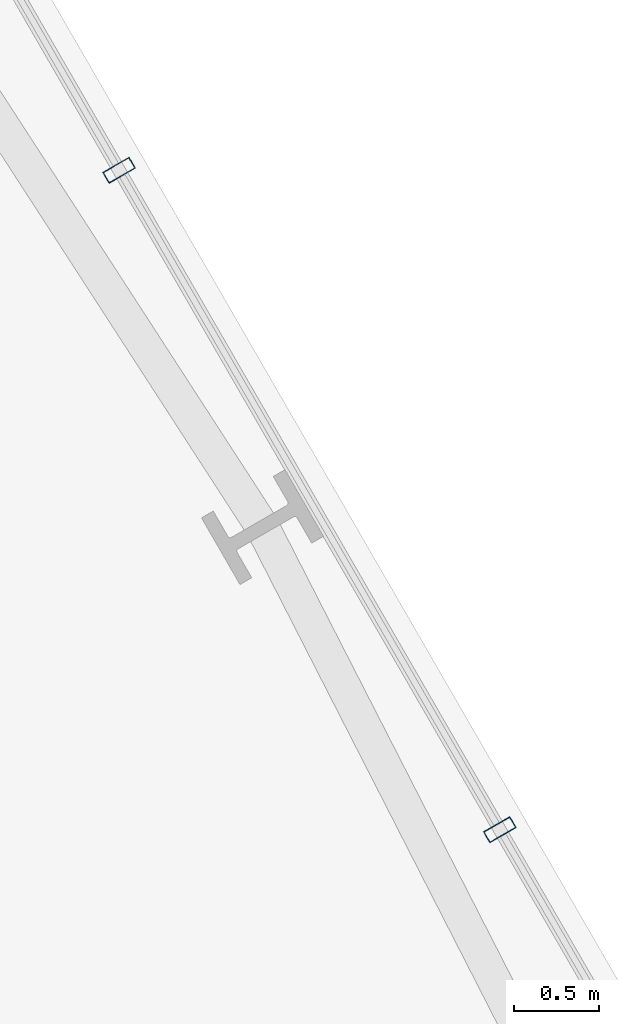
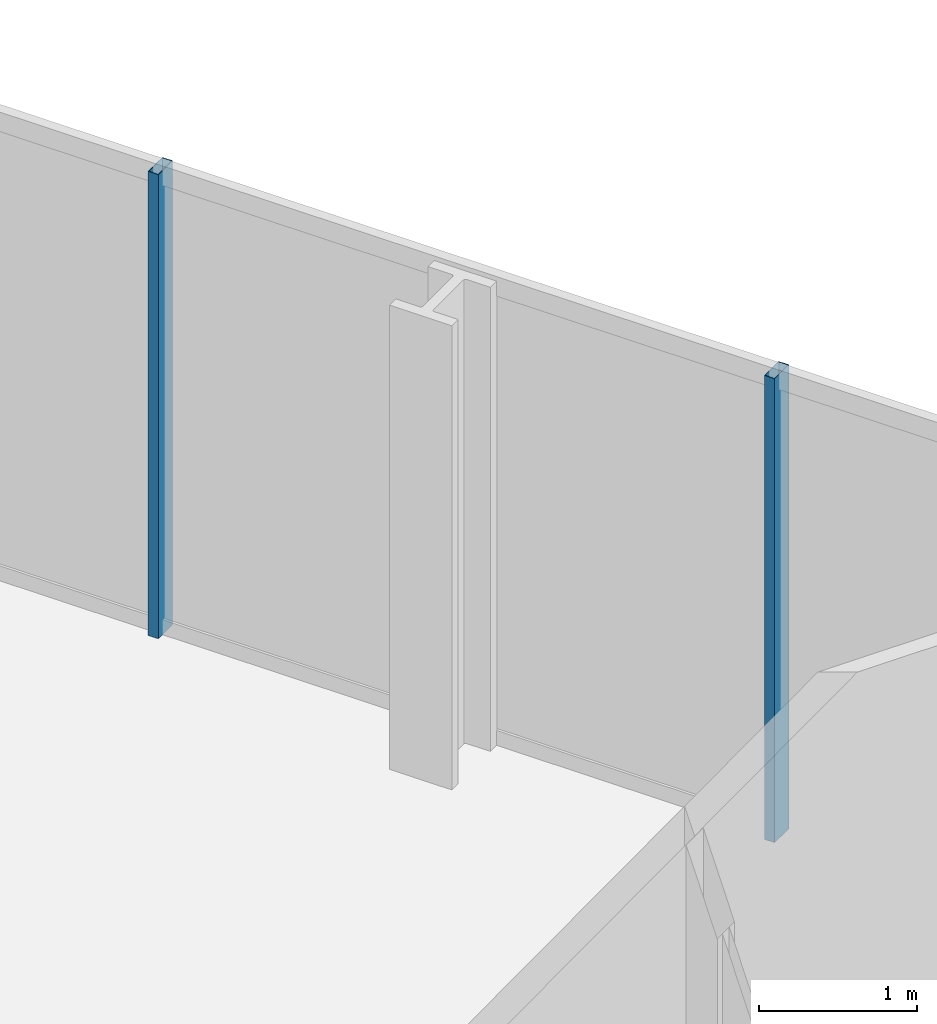
# One storey, part 20 of 32: 2 members, 1 element without a shape of its own.
"""IFC4 building model written with IfcOpenShell, lengths in metres."""

import ifcopenshell
import ifcopenshell.guid

model = None  # the IFC model being written
_history = None  # IfcOwnerHistory: only IFC2X3 demands one
_inside = {}  # id of a spatial element -> (the spatial element, [elements in it])
_under = {}  # id of a project, library or spatial element -> (it, [spatial elements below it])
_declared = {}  # id of a project -> (the project, [libraries it declares])
_typed = {}  # id of a type object -> (the type object, [elements of that type])
_made_of = {}  # id of a material, layer set ... -> (it, [elements and type objects made of it])


def new_model(schema):
    """Start an empty IFC model of exactly this schema.

    Asked for "IFC4X3", IfcOpenShell would pick the latest addendum, in which some entities
    have other attributes; the version numbers below select the first issue.
    IFC2X3 requires an IfcOwnerHistory on every rooted entity: one is made here for all.
    """
    global model, _history
    if schema == "IFC4X3":
        model = ifcopenshell.file(schema_version=(4, 3, 0, 0))
    else:
        model = ifcopenshell.file(schema=schema)
    _inside.clear()
    _under.clear()
    _declared.clear()
    _typed.clear()
    _made_of.clear()
    _history = None
    if model.schema == "IFC2X3":
        org = make("IfcOrganization", Name="unknown")
        user = make(
            "IfcPersonAndOrganization",
            ThePerson=make("IfcPerson", FamilyName="unknown"),
            TheOrganization=org,
        )
        app = make(
            "IfcApplication",
            ApplicationDeveloper=org,
            Version="unknown",
            ApplicationFullName="unknown",
            ApplicationIdentifier="unknown",
        )
        _history = make(
            "IfcOwnerHistory",
            OwningUser=user,
            OwningApplication=app,
            ChangeAction="ADDED",
            CreationDate=0,
        )
    return model


def make(cls, **values):
    """One entity of the class cls with the attributes given. An attribute that is None is left unset."""
    return model.create_entity(
        cls, **{name: value for name, value in values.items() if value is not None}
    )


def rooted(cls, **values):
    """An entity with a GlobalId (a new one), such as an element, a storey or a relation."""
    return make(cls, GlobalId=ifcopenshell.guid.new(), OwnerHistory=_history, **values)


def si_unit(unit_type, name, prefix=None):
    """IfcSIUnit, for example si_unit("LENGTHUNIT", "METRE", prefix="MILLI")."""
    return make("IfcSIUnit", UnitType=unit_type, Prefix=prefix, Name=name)


def assignment(units):
    """IfcUnitAssignment: the units of a project."""
    return None if units is None else make("IfcUnitAssignment", Units=units)


def point(xyz):
    """IfcCartesianPoint."""
    return None if xyz is None else make("IfcCartesianPoint", Coordinates=xyz)


def direction(xyz):
    """IfcDirection."""
    return None if xyz is None else make("IfcDirection", DirectionRatios=xyz)


def frame(location, z_axis=None, x_axis=None):
    """IfcAxis2Placement3D, a coordinate frame: its origin and axes. An axis left out is left unset."""
    return make(
        "IfcAxis2Placement3D",
        Location=point(location),
        Axis=direction(z_axis),
        RefDirection=direction(x_axis),
    )


def frame_2d(location, x_axis=None):
    """IfcAxis2Placement2D, a coordinate frame in the plane: its origin and x axis."""
    return make(
        "IfcAxis2Placement2D", Location=point(location), RefDirection=direction(x_axis)
    )


def origin():
    """The frame at (0, 0, 0) with its axes left unset."""
    return frame((0.0, 0.0, 0.0))


def origin_2d():
    """The frame at (0, 0) in the plane with its x axis left unset."""
    return frame_2d((0.0, 0.0))


def place(relative_to, where):
    """IfcLocalPlacement: puts the frame where relative to a parent placement (None: the world)."""
    return make(
        "IfcLocalPlacement", PlacementRelTo=relative_to, RelativePlacement=where
    )


def context(
    kind, dimensions, precision=None, world=None, true_north=None, identifier=None
):
    """IfcGeometricRepresentationContext, for example the 3D "Model" context."""
    return make(
        "IfcGeometricRepresentationContext",
        ContextIdentifier=identifier,
        ContextType=kind,
        CoordinateSpaceDimension=dimensions,
        Precision=precision,
        WorldCoordinateSystem=world,
        TrueNorth=true_north,
    )


def subcontext(parent, identifier, kind, view, scale=None):
    """IfcGeometricRepresentationSubContext, for example "Body" below "Model"."""
    return make(
        "IfcGeometricRepresentationSubContext",
        ContextIdentifier=identifier,
        ContextType=kind,
        ParentContext=parent,
        TargetScale=scale,
        TargetView=view,
    )


def project(units=None, contexts=None):
    """IfcProject with its units and contexts."""
    return rooted(
        "IfcProject",
        Name="project",
        RepresentationContexts=contexts,
        UnitsInContext=assignment(units),
    )


def spatial(cls, under=None, at=None, **own):
    """A site, building, storey or space (cls), placed at a placement, below another one or the project."""
    s = rooted(cls, ObjectPlacement=at, **own)
    if under is not None:
        _under.setdefault(under.id(), (under, []))[1].append(s)
    return s


def profile(cls, at=None, kind="AREA", **sizes):
    """A parametric profile (cls). Its sizes go by their IFC names, for example OverallWidth=200.0."""
    return make(cls, ProfileType=kind, Position=at, **sizes)


def hollow_rectangle(**sizes):
    """IfcRectangleHollowProfileDef."""
    return profile("IfcRectangleHollowProfileDef", **sizes)


def extrude(swept, where, along, depth):
    """IfcExtrudedAreaSolid: the profile swept, set in the frame where, extruded along a direction by depth."""
    return make(
        "IfcExtrudedAreaSolid",
        SweptArea=swept,
        Position=where,
        ExtrudedDirection=direction(along),
        Depth=depth,
    )


def shape(context_of_items, identifier, shape_type, items):
    """IfcShapeRepresentation: the items that make up one representation, for example the "Body"."""
    return make(
        "IfcShapeRepresentation",
        ContextOfItems=context_of_items,
        RepresentationIdentifier=identifier,
        RepresentationType=shape_type,
        Items=items,
    )


def material(Name=None, Category=None):
    """IfcMaterial."""
    return make("IfcMaterial", Name=Name, Category=Category)


def layer(
    of_material, thickness, ventilated=None, Name=None, Category=None, Priority=None
):
    """IfcMaterialLayer: one layer of a wall or slab, of a material (None: an air gap)."""
    return make(
        "IfcMaterialLayer",
        Material=of_material,
        LayerThickness=thickness,
        IsVentilated=ventilated,
        Name=Name,
        Category=Category,
        Priority=Priority,
    )


def layer_set(layers, Name=None):
    """IfcMaterialLayerSet."""
    return make("IfcMaterialLayerSet", MaterialLayers=layers, LayerSetName=Name)


def material_profile(
    of_material, cross_section, Name=None, Category=None, Priority=None
):
    """IfcMaterialProfile: a cross section and its material."""
    return make(
        "IfcMaterialProfile",
        Name=Name,
        Material=of_material,
        Profile=cross_section,
        Priority=Priority,
        Category=Category,
    )


def profile_set(profiles, Name=None, composite=None):
    """IfcMaterialProfileSet."""
    return make(
        "IfcMaterialProfileSet",
        Name=Name,
        MaterialProfiles=profiles,
        CompositeProfile=composite,
    )


def made_of(thing, what):
    """Note that an element or type object is made of a material, layer set ...; save() writes the relation."""
    if what is not None:
        _made_of.setdefault(what.id(), (what, []))[1].append(thing)
    return thing


def type_object(cls, material=None, **own):
    """A type object (cls), such as IfcWallType, which elements share."""
    return made_of(rooted(cls, **own), material)


def element(
    cls,
    number,
    at=None,
    inside=None,
    cuts=None,
    type_object=None,
    material=None,
    context=None,
    identifier="Body",
    shape_type=None,
    held_by="IfcProductDefinitionShape",
    body=None,
    shapes=None,
    **own,
):
    """One element of the class cls, such as IfcWall. Its Tag is "e" and its number.

    at: its placement. inside: the storey or other place that contains it. cuts: it is an
    opening in that element (IfcRelVoidsElement). A single representation is given by context,
    identifier, shape_type and body (its items); several are given by shapes. held_by: the class
    of the entity that holds the representations. save() writes the other relations.
    """
    e = rooted(cls, Tag="e%d" % number, ObjectPlacement=at, **own)
    if body is not None:
        shapes = [shape(context, identifier, shape_type, body)]
    if shapes is not None:
        e.Representation = make(held_by, Representations=shapes)
    if inside is not None:
        _inside.setdefault(inside.id(), (inside, []))[1].append(e)
    if cuts is not None:
        rooted(
            "IfcRelVoidsElement", RelatingBuildingElement=cuts, RelatedOpeningElement=e
        )
    if type_object is not None:
        _typed.setdefault(type_object.id(), (type_object, []))[1].append(e)
    return made_of(e, material)


def aggregate(whole, parts):
    """IfcRelAggregates: a whole, such as a stair, and the parts it consists of."""
    return rooted("IfcRelAggregates", RelatingObject=whole, RelatedObjects=parts)


def save(model, path):
    """Write the relations noted so far, then the file.

    IfcRelAggregates (storeys below a building ...), IfcRelContainedInSpatialStructure (elements
    in a storey), IfcRelDefinesByType, IfcRelAssociatesMaterial and IfcRelDeclares: one each for
    every whole, place, type object, material and project.
    """
    for whole, parts in _under.values():
        aggregate(whole, parts)
    for where, things in _inside.values():
        rooted(
            "IfcRelContainedInSpatialStructure",
            RelatedElements=things,
            RelatingStructure=where,
        )
    for kind, things in _typed.values():
        rooted("IfcRelDefinesByType", RelatedObjects=things, RelatingType=kind)
    for what, things in _made_of.values():
        rooted("IfcRelAssociatesMaterial", RelatedObjects=things, RelatingMaterial=what)
    for by, libraries in _declared.values():
        rooted("IfcRelDeclares", RelatingContext=by, RelatedDefinitions=libraries)
    model.write(path)


model = new_model("IFC4")

# Units and contexts
model_context = context("Model", 3, precision=1e-05, world=origin(), true_north=direction((0.0, 1.0)))
body_context = subcontext(model_context, "Body", "Model", "MODEL_VIEW")
ifc_project = project(units=[si_unit("LENGTHUNIT", "METRE"), si_unit("AREAUNIT", "SQUARE_METRE"), si_unit("VOLUMEUNIT", "CUBIC_METRE"), si_unit("PLANEANGLEUNIT", "RADIAN"), si_unit("MASSUNIT", "GRAM", prefix="KILO")], contexts=[model_context])

# Site, building, storey
site_placement = place(None, origin())
site = spatial("IfcSite", under=ifc_project, at=site_placement, CompositionType="ELEMENT")
building_placement = place(site_placement, origin())
building = spatial("IfcBuilding", under=site, at=building_placement, Name="Ndaravel Arena Tower", CompositionType="ELEMENT")
storey_placement = place(building_placement, frame((0.0, 0.0, 62.60009765625)))
storey = spatial("IfcBuildingStorey", under=building, at=storey_placement, Name="L13", CompositionType="ELEMENT", Elevation=62.60009765625)

# Curtain wall, members
ifc_material_1 = material(Name="Aluminium", Category="aluminium")
ifc_layer = layer(ifc_material_1, 0.179931640625)
ifc_layer_set = layer_set([ifc_layer], Name="Aluminium")
curtain_wall_type = type_object("IfcCurtainWallType", Name="CW-SYS-03", PredefinedType="NOTDEFINED", material=ifc_layer_set)
curtain_wall_placement = place(storey_placement, origin())
curtain_wall = element("IfcCurtainWall", 1, at=curtain_wall_placement, inside=storey, type_object=curtain_wall_type, Name="L13 Faceted Crystal Curtain Wall CW-L13-E03", PredefinedType="NOTDEFINED")
ifc_material_2 = material(Name="Aluminium", Category="aluminium")
ifc_material_profile = material_profile(ifc_material_2, hollow_rectangle(XDim=0.074951171875, YDim=0.179931640625, WallThickness=0.00390625, at=origin_2d()), Name="CW MULLION 75x180x4")
ifc_profile_set = profile_set([ifc_material_profile], Name="Aluminium")
member_type = type_object("IfcMemberType", Name="MEM-CW-MUL180", PredefinedType="MULLION", material=ifc_profile_set)
member_1_placement = place(storey_placement, frame((58.74755859375, 30.274169921875, 0.0), z_axis=(0.0, 0.0, 1.0), x_axis=(-0.5, 0.866025403784, 0.0)))
member_1 = element("IfcMember", 2, at=member_1_placement, type_object=member_type, Name="CW-L13-E03 Mullion 03", PredefinedType="MULLION", context=body_context, shape_type="SweptSolid", body=[
    extrude(hollow_rectangle(XDim=0.074951171875, YDim=0.179931640625, WallThickness=0.00390625, at=origin_2d()), origin(), (0.0, 0.0, 1.0), 3.579833984375),
])
member_2_placement = place(storey_placement, frame((56.499755859375, 34.16748046875, 0.0), z_axis=(0.0, 0.0, 1.0), x_axis=(-0.5, 0.866025403784, 0.0)))
member_2 = element("IfcMember", 3, at=member_2_placement, type_object=member_type, Name="CW-L13-E03 Mullion 04", PredefinedType="MULLION", context=body_context, shape_type="SweptSolid", body=[
    extrude(hollow_rectangle(XDim=0.074951171875, YDim=0.179931640625, WallThickness=0.00390625, at=origin_2d()), origin(), (0.0, 0.0, 1.0), 3.579833984375),
])
aggregate(curtain_wall, [member_1, member_2])

save(model, "model.ifc")
